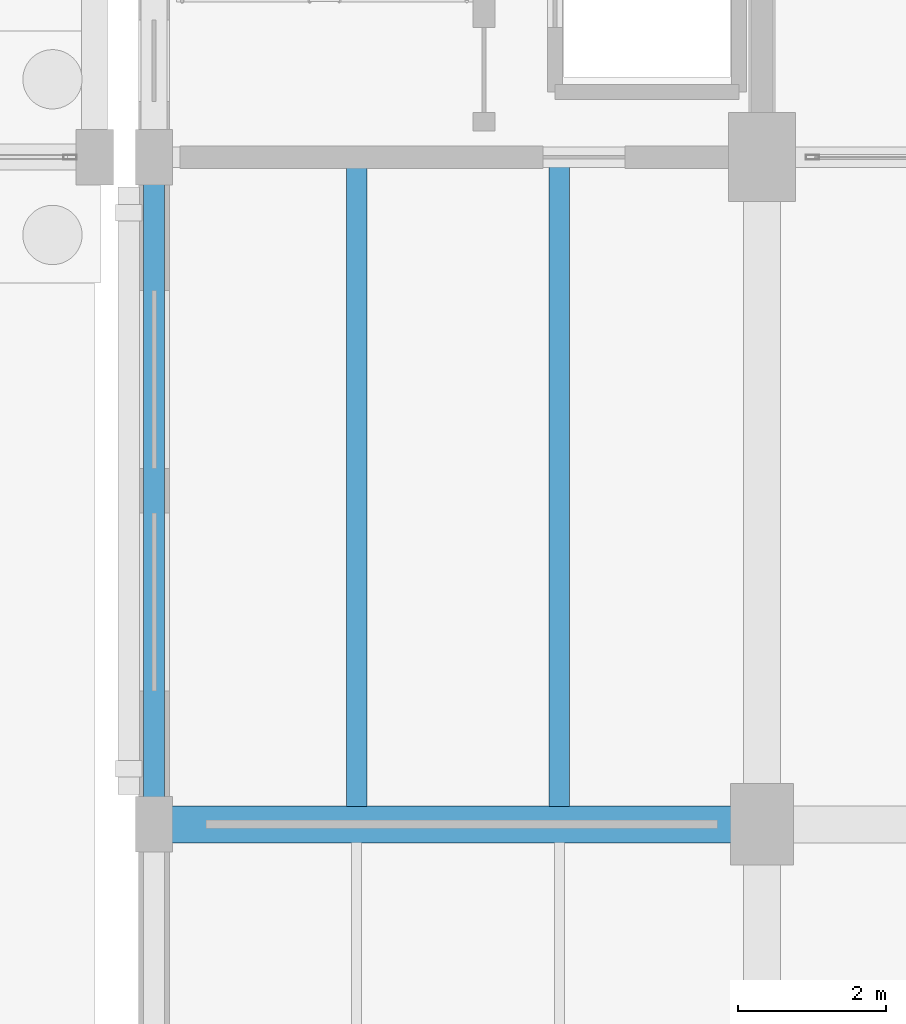
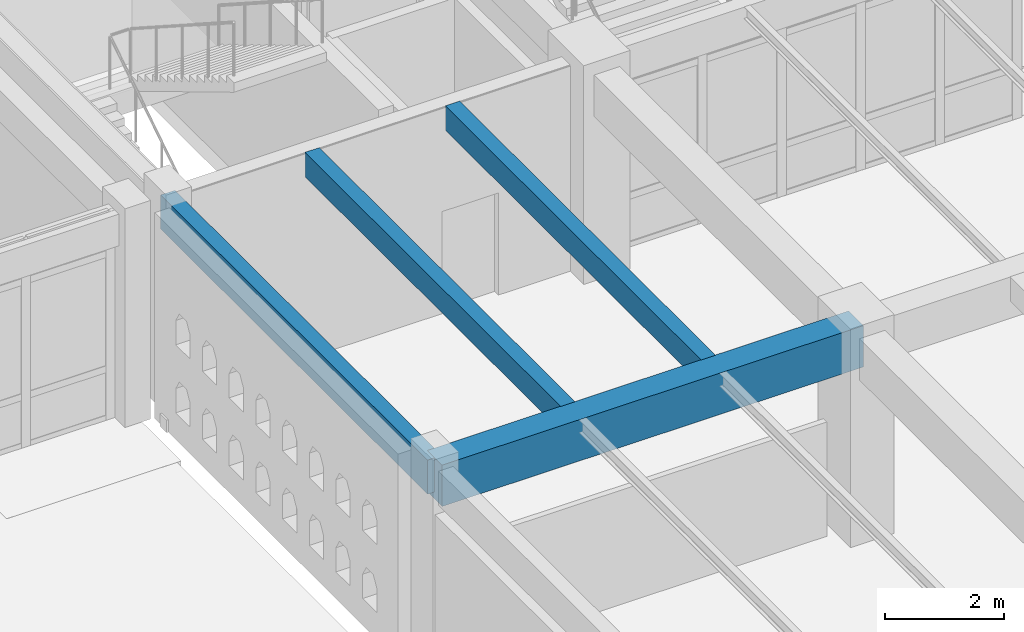
# One storey, part 62 of 186: 4 beams.
"""IFC4 building model written with IfcOpenShell, lengths in metres."""

from ifc_helpers import new_model, si_unit, direction, frame, origin, origin_2d, place, context, subcontext, project, spatial, rectangle, extrude, material, material_profile, profile_set, type_object, element, save


model = new_model("IFC4")

# Units and contexts
model_context = context("Model", 3, precision=1e-05, world=origin(), true_north=direction((0.0, 1.0)))
body_context = subcontext(model_context, "Body", "Model", "MODEL_VIEW")
ifc_project = project(units=[si_unit("LENGTHUNIT", "METRE"), si_unit("AREAUNIT", "SQUARE_METRE"), si_unit("VOLUMEUNIT", "CUBIC_METRE"), si_unit("PLANEANGLEUNIT", "RADIAN"), si_unit("MASSUNIT", "GRAM", prefix="KILO")], contexts=[model_context])

# Site, building, storey
site_placement = place(None, origin())
site = spatial("IfcSite", under=ifc_project, at=site_placement, CompositionType="ELEMENT")
building_placement = place(site_placement, origin())
building = spatial("IfcBuilding", under=site, at=building_placement, Name="Ornek Quay Market", CompositionType="ELEMENT")
storey_placement = place(building_placement, origin())
storey = spatial("IfcBuildingStorey", under=building, at=storey_placement, Name="L00", CompositionType="ELEMENT", Elevation=0.0)

# Beams
ifc_material_1 = material(Name="Concrete C40/50", Category="concrete")
ifc_material_profile_1 = material_profile(ifc_material_1, rectangle(XDim=0.5, YDim=0.85009765625, at=origin_2d()), Name="RC 500x850", Category="concrete")
ifc_profile_set_1 = profile_set([ifc_material_profile_1], Name="Concrete C40/50")
beam_type_1 = type_object("IfcBeamType", Name="BM-GAL-500x850", PredefinedType="BEAM", material=ifc_profile_set_1)
beam_1_placement = place(storey_placement, frame((54.800048828125, 83.0, 3.81494140625), z_axis=(1.0, 0.0, 0.0), x_axis=(0.0, 1.0, 0.0)))
element("IfcBeam", 1, at=beam_1_placement, inside=storey, type_object=beam_type_1, Name="Primary beam B-GL1-019", PredefinedType="BEAM", context=body_context, shape_type="SweptSolid", body=[
    extrude(rectangle(XDim=0.5, YDim=0.85009765625, at=origin_2d()), origin(), (0.0, 0.0, 1.0), 8.199951171875),
])
ifc_material_2 = material(Name="Concrete C35/45", Category="concrete")
ifc_material_profile_2 = material_profile(ifc_material_2, rectangle(XDim=0.280029296875, YDim=0.5, at=origin_2d()), Name="RC 280x500", Category="concrete")
ifc_profile_set_2 = profile_set([ifc_material_profile_2], Name="Concrete C35/45")
beam_type_2 = type_object("IfcBeamType", Name="BM-SEC-280x500", PredefinedType="JOIST", material=ifc_profile_set_2)
for number, where, z_axis, x_axis, name in (
    (2, (57.533203125, 83.241943359375, 3.989990234375), (0.0, 1.0, 0.0), (-1.0, 0.0, 0.0), "Secondary joist B-SC2-043"),
    (3, (60.2666015625, 83.241943359375, 3.989990234375), (0.0, 1.0, 0.0), (-1.0, 0.0, 0.0), "Secondary joist B-SC2-044"),
):
    element("IfcBeam", number, at=place(storey_placement, frame(where, z_axis=z_axis, x_axis=x_axis)), inside=storey, type_object=beam_type_2, Name=name, PredefinedType="JOIST", context=body_context, shape_type="SweptSolid", body=[
        extrude(rectangle(XDim=0.280029296875, YDim=0.5, at=origin_2d()), origin(), (0.0, 0.0, 1.0), 8.6259765625),
    ])
ifc_material_profile_3 = material_profile(ifc_material_2, rectangle(XDim=0.280029296875, YDim=0.699951171875, at=origin_2d()), Name="RC 280x700", Category="concrete")
ifc_profile_set_3 = profile_set([ifc_material_profile_3], Name="Concrete C35/45")
beam_type_3 = type_object("IfcBeamType", Name="BM-SPN-280x700", PredefinedType="SPANDREL", material=ifc_profile_set_3)
beam_2_placement = place(storey_placement, frame((54.800048828125, 83.0, 3.889892578125), z_axis=(0.0, 1.0, 0.0), x_axis=(-1.0, 0.0, 0.0)))
element("IfcBeam", 4, at=beam_2_placement, inside=storey, type_object=beam_type_3, Name="Primary beam B-SP2-025", PredefinedType="SPANDREL", context=body_context, shape_type="SweptSolid", body=[
    extrude(rectangle(XDim=0.280029296875, YDim=0.699951171875, at=origin_2d()), origin(), (0.0, 0.0, 1.0), 9.0),
])

save(model, "model.ifc")
